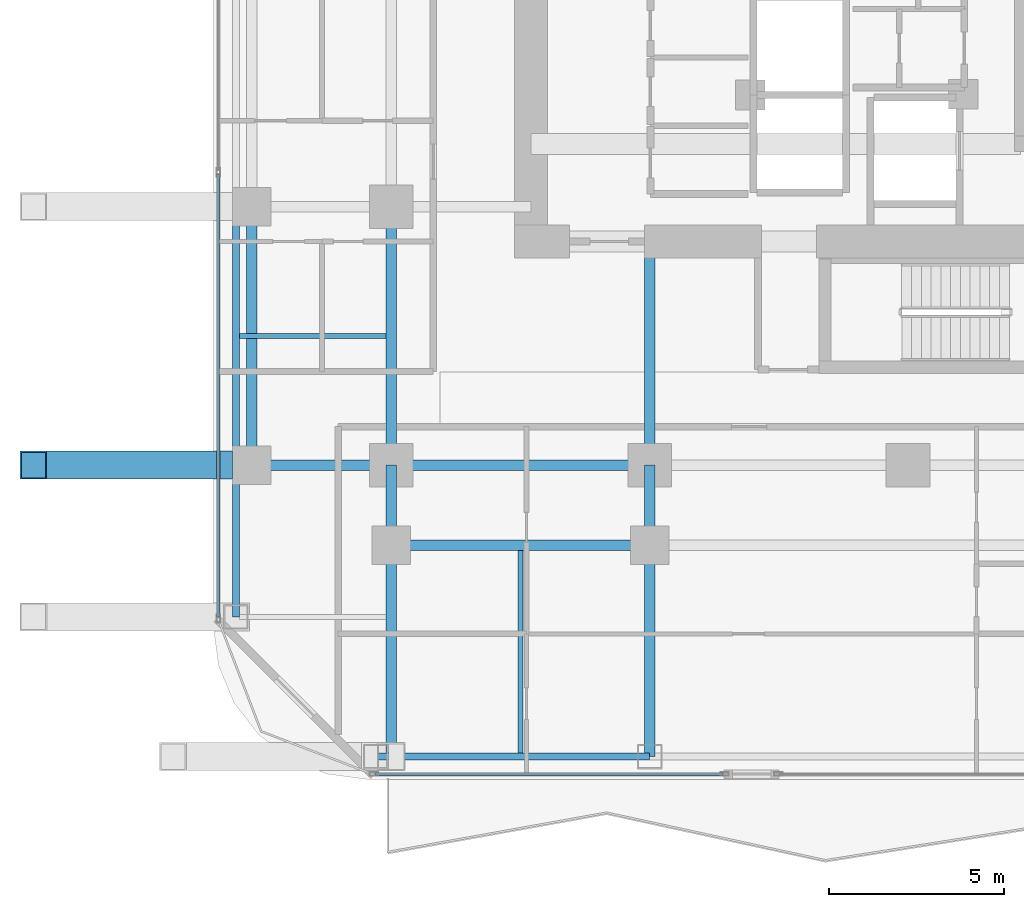
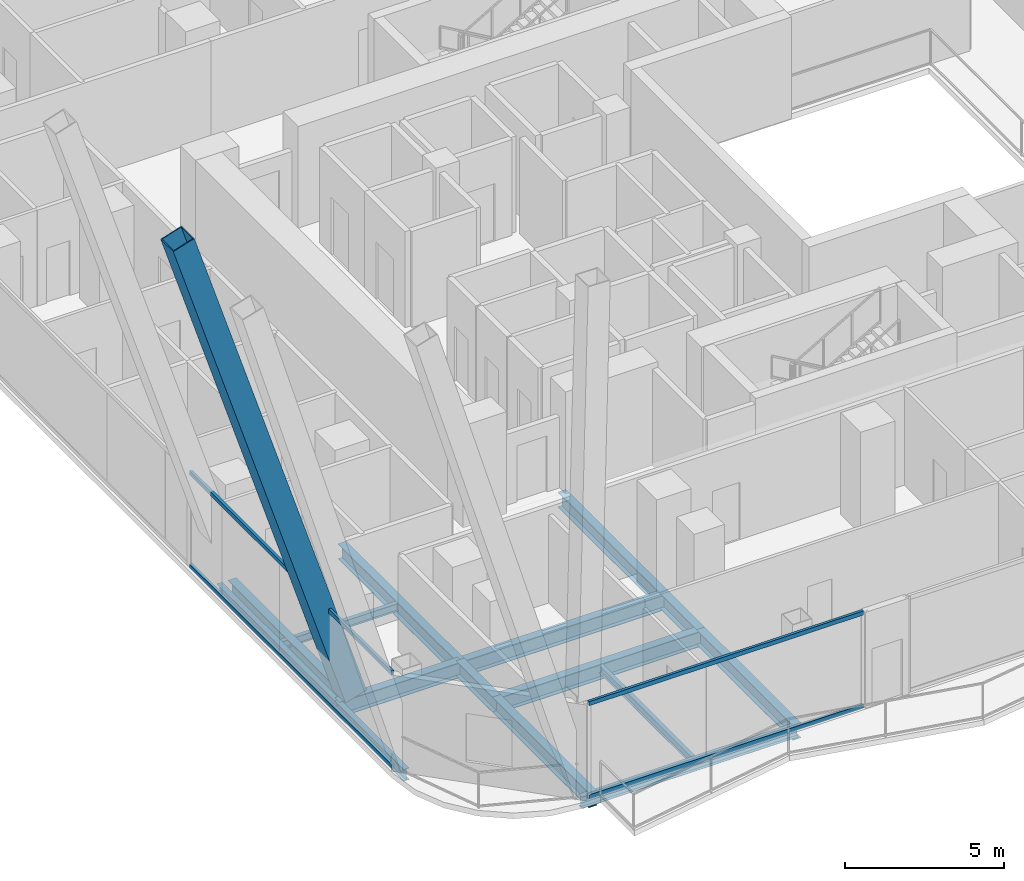
# One storey, part 4 of 32: 15 beams, 5 members, 2 elements without a shape of their own.
"""IFC4 building model written with IfcOpenShell, lengths in metres."""

from ifc_helpers import new_model, si_unit, direction, frame, origin, origin_2d, place, context, subcontext, project, spatial, hollow_rectangle, i_section, extrude, material, layer, layer_set, material_profile, profile_set, type_object, element, aggregate, save


model = new_model("IFC4")

# Units and contexts
model_context = context("Model", 3, precision=1e-05, world=origin(), true_north=direction((0.0, 1.0)))
body_context = subcontext(model_context, "Body", "Model", "MODEL_VIEW")
ifc_project = project(units=[si_unit("LENGTHUNIT", "METRE"), si_unit("AREAUNIT", "SQUARE_METRE"), si_unit("VOLUMEUNIT", "CUBIC_METRE"), si_unit("PLANEANGLEUNIT", "RADIAN"), si_unit("MASSUNIT", "GRAM", prefix="KILO")], contexts=[model_context])

# Site, building, storey
site_placement = place(None, origin())
site = spatial("IfcSite", under=ifc_project, at=site_placement, CompositionType="ELEMENT")
building_placement = place(site_placement, origin())
building = spatial("IfcBuilding", under=site, at=building_placement, Name="Khorvyn Point Tower", CompositionType="ELEMENT")
storey_placement = place(building_placement, frame((0.0, 0.0, 148.5)))
storey = spatial("IfcBuildingStorey", under=building, at=storey_placement, Name="L37", CompositionType="ELEMENT", Elevation=148.5)

# Curtain wall, members
ifc_material_1 = material(Name="Anodised aluminium 6063-T6 and laminated Low-E glass", Category="aluminium")
ifc_layer = layer(ifc_material_1, 0.18994140625)
ifc_layer_set = layer_set([ifc_layer], Name="Stick-Built Acoustic Curtain Wall CW-SYS-03")
curtain_wall_type = type_object("IfcCurtainWallType", Name="Stick-Built Acoustic Curtain Wall CW-SYS-03", PredefinedType="NOTDEFINED", material=ifc_layer_set)
curtain_wall_1_placement = place(storey_placement, origin())
curtain_wall_1 = element("IfcCurtainWall", 1, at=curtain_wall_1_placement, inside=storey, type_object=curtain_wall_type, Name="Curtain Wall", PredefinedType="NOTDEFINED")
ifc_material_2 = material(Name="Anodised aluminium 6063-T6", Category="aluminium")
ifc_material_profile_1 = material_profile(ifc_material_2, hollow_rectangle(XDim=0.10009765625, YDim=0.159912109375, WallThickness=0.00439453125, at=origin_2d()))
ifc_profile_set_1 = profile_set([ifc_material_profile_1], Name="Anodised aluminium 6063-T6 ALU-TRN-100x160")
member_type_1 = type_object("IfcMemberType", Name="Anodised Aluminium 6063-T6 Transom ALU-TRN-100x160", PredefinedType="USERDEFINED", material=ifc_profile_set_1)
member_1_placement = place(storey_placement, frame((-5.301025390625, -23.64990234375, 0.050048828125), z_axis=(-1.0, 0.0, 0.0), x_axis=(0.0, -1.0, 0.0)))
member_1 = element("IfcMember", 2, at=member_1_placement, type_object=member_type_1, Name="Transom", ObjectType="TRANSOM", PredefinedType="USERDEFINED", context=body_context, shape_type="SweptSolid", body=[
    extrude(hollow_rectangle(XDim=0.10009765625, YDim=0.159912109375, WallThickness=0.00439453125, at=origin_2d()), origin(), (0.0, 0.0, 1.0), 9.948974609375),
])
member_2_placement = place(storey_placement, frame((-5.301025390625, -23.64990234375, 3.6298828125), z_axis=(-1.0, 0.0, 0.0), x_axis=(0.0, -1.0, 0.0)))
member_2 = element("IfcMember", 3, at=member_2_placement, type_object=member_type_1, Name="Transom", ObjectType="TRANSOM", PredefinedType="USERDEFINED", context=body_context, shape_type="SweptSolid", body=[
    extrude(hollow_rectangle(XDim=0.10009765625, YDim=0.159912109375, WallThickness=0.00439453125, at=origin_2d()), origin(), (0.0, 0.0, 1.0), 9.948974609375),
])
aggregate(curtain_wall_1, [member_1, member_2])

curtain_wall_2_placement = place(storey_placement, origin())
curtain_wall_2 = element("IfcCurtainWall", 4, at=curtain_wall_2_placement, inside=storey, type_object=curtain_wall_type, Name="Curtain Wall", PredefinedType="NOTDEFINED")
member_3_placement = place(storey_placement, frame((-19.75, -19.14990234375, 0.050048828125), z_axis=(0.0, 1.0, 0.0), x_axis=(-1.0, 0.0, 0.0)))
member_3 = element("IfcMember", 5, at=member_3_placement, type_object=member_type_1, Name="Transom", ObjectType="TRANSOM", PredefinedType="USERDEFINED", context=body_context, shape_type="SweptSolid", body=[
    extrude(hollow_rectangle(XDim=0.10009765625, YDim=0.159912109375, WallThickness=0.00439453125, at=origin_2d()), origin(), (0.0, 0.0, 1.0), 12.683349609375),
])
member_4_placement = place(storey_placement, frame((-19.75, -19.14990234375, 3.6298828125), z_axis=(0.0, 1.0, 0.0), x_axis=(-1.0, 0.0, 0.0)))
member_4 = element("IfcMember", 6, at=member_4_placement, type_object=member_type_1, Name="Transom", ObjectType="TRANSOM", PredefinedType="USERDEFINED", context=body_context, shape_type="SweptSolid", body=[
    extrude(hollow_rectangle(XDim=0.10009765625, YDim=0.159912109375, WallThickness=0.00439453125, at=origin_2d()), origin(), (0.0, 0.0, 1.0), 12.683349609375),
])
aggregate(curtain_wall_2, [member_3, member_4])

# Beams
ifc_material_3 = material(Name="Steel S355", Category="steel")
ifc_material_profile_2 = material_profile(ifc_material_3, i_section(OverallWidth=0.300048828125, OverallDepth=0.587890625, WebThickness=0.011962890625, FlangeThickness=0.02001953125, at=origin_2d()))
ifc_profile_set_2 = profile_set([ifc_material_profile_2], Name="Steel S355 H588x300x12x20")
beam_type_1 = type_object("IfcBeamType", Name="Steel S355 Beam H588x300x12x20", PredefinedType="BEAM", material=ifc_profile_set_2)
beam_1_placement = place(storey_placement, frame((-19.25, -14.800048828125, -0.513916015625), z_axis=(1.0, 0.0, 0.0), x_axis=(0.0, 1.0, 0.0)))
element("IfcBeam", 7, at=beam_1_placement, inside=storey, type_object=beam_type_1, Name="Beam", PredefinedType="BEAM", context=body_context, shape_type="SweptSolid", body=[
    extrude(i_section(OverallWidth=0.300048828125, OverallDepth=0.587890625, WebThickness=0.011962890625, FlangeThickness=0.02001953125, at=origin_2d()), origin(), (0.0, 0.0, 1.0), 4.449951171875),
])
for number, where, z_axis, x_axis, name in (
    (8, (-14.800048828125, -14.800048828125, -0.513916015625), (1.0, 0.0, 0.0), (0.0, 1.0, 0.0), "Beam"),
    (9, (-14.800048828125, -17.10009765625, -0.513916015625), (1.0, 0.0, 0.0), (0.0, 1.0, 0.0), "Beam"),
):
    element("IfcBeam", number, at=place(storey_placement, frame(where, z_axis=z_axis, x_axis=x_axis)), inside=storey, type_object=beam_type_1, Name=name, PredefinedType="BEAM", context=body_context, shape_type="SweptSolid", body=[
        extrude(i_section(OverallWidth=0.300048828125, OverallDepth=0.587890625, WebThickness=0.011962890625, FlangeThickness=0.02001953125, at=origin_2d()), origin(), (0.0, 0.0, 1.0), 7.400146484375),
    ])
beam_2_placement = place(storey_placement, frame((-14.800048828125, -23.14990234375, -0.513916015625), z_axis=(0.0, 1.0, 0.0), x_axis=(-1.0, 0.0, 0.0)))
element("IfcBeam", 10, at=beam_2_placement, inside=storey, type_object=beam_type_1, Name="Beam", PredefinedType="BEAM", context=body_context, shape_type="SweptSolid", body=[
    extrude(i_section(OverallWidth=0.300048828125, OverallDepth=0.587890625, WebThickness=0.011962890625, FlangeThickness=0.02001953125, at=origin_2d()), origin(), (0.0, 0.0, 1.0), 6.0498046875),
])
beam_3_placement = place(storey_placement, frame((-14.800048828125, -17.10009765625, -0.513916015625), z_axis=(0.0, 1.0, 0.0), x_axis=(-1.0, 0.0, 0.0)))
element("IfcBeam", 11, at=beam_3_placement, inside=storey, type_object=beam_type_1, Name="Beam", PredefinedType="BEAM", context=body_context, shape_type="SweptSolid", body=[
    extrude(i_section(OverallWidth=0.300048828125, OverallDepth=0.587890625, WebThickness=0.011962890625, FlangeThickness=0.02001953125, at=origin_2d()), origin(), (0.0, 0.0, 1.0), 2.300048828125),
])
beam_4_placement = place(storey_placement, frame((-14.800048828125, -14.800048828125, -0.513916015625), z_axis=(0.0, 1.0, 0.0), x_axis=(-1.0, 0.0, 0.0)))
element("IfcBeam", 12, at=beam_4_placement, inside=storey, type_object=beam_type_1, Name="Beam", PredefinedType="BEAM", context=body_context, shape_type="SweptSolid", body=[
    extrude(i_section(OverallWidth=0.300048828125, OverallDepth=0.587890625, WebThickness=0.011962890625, FlangeThickness=0.02001953125, at=origin_2d()), origin(), (0.0, 0.0, 1.0), 7.400146484375),
])
beam_5_placement = place(storey_placement, frame((-7.39990234375, -23.14990234375, -0.513916015625), z_axis=(0.0, 1.0, 0.0), x_axis=(-1.0, 0.0, 0.0)))
element("IfcBeam", 13, at=beam_5_placement, inside=storey, type_object=beam_type_1, Name="Beam", PredefinedType="BEAM", context=body_context, shape_type="SweptSolid", body=[
    extrude(i_section(OverallWidth=0.300048828125, OverallDepth=0.587890625, WebThickness=0.011962890625, FlangeThickness=0.02001953125, at=origin_2d()), origin(), (0.0, 0.0, 1.0), 6.0498046875),
])
beam_6_placement = place(storey_placement, frame((-7.39990234375, -17.10009765625, -0.513916015625), z_axis=(0.0, 1.0, 0.0), x_axis=(-1.0, 0.0, 0.0)))
element("IfcBeam", 14, at=beam_6_placement, inside=storey, type_object=beam_type_1, Name="Beam", PredefinedType="BEAM", context=body_context, shape_type="SweptSolid", body=[
    extrude(i_section(OverallWidth=0.300048828125, OverallDepth=0.587890625, WebThickness=0.011962890625, FlangeThickness=0.02001953125, at=origin_2d()), origin(), (0.0, 0.0, 1.0), 2.300048828125),
])
beam_7_placement = place(storey_placement, frame((-7.39990234375, -14.800048828125, -0.513916015625), z_axis=(0.0, 1.0, 0.0), x_axis=(-1.0, 0.0, 0.0)))
element("IfcBeam", 15, at=beam_7_placement, inside=storey, type_object=beam_type_1, Name="Beam", PredefinedType="BEAM", context=body_context, shape_type="SweptSolid", body=[
    extrude(i_section(OverallWidth=0.300048828125, OverallDepth=0.587890625, WebThickness=0.011962890625, FlangeThickness=0.02001953125, at=origin_2d()), origin(), (0.0, 0.0, 1.0), 6.400146484375),
])
beam_8_placement = place(storey_placement, frame((-18.800048828125, -14.800048828125, -0.513916015625), z_axis=(0.0, 1.0, 0.0), x_axis=(-1.0, 0.0, 0.0)))
element("IfcBeam", 16, at=beam_8_placement, inside=storey, type_object=beam_type_1, Name="Beam", PredefinedType="BEAM", context=body_context, shape_type="SweptSolid", body=[
    extrude(i_section(OverallWidth=0.300048828125, OverallDepth=0.587890625, WebThickness=0.011962890625, FlangeThickness=0.02001953125, at=origin_2d()), origin(), (0.0, 0.0, 1.0), 7.400146484375),
])
ifc_material_profile_3 = material_profile(ifc_material_3, i_section(OverallWidth=0.14990234375, OverallDepth=0.300048828125, WebThickness=0.006591796875, FlangeThickness=0.009033203125, at=origin_2d()))
ifc_profile_set_3 = profile_set([ifc_material_profile_3], Name="Steel S355 H300x150x6.5x9")
beam_type_2 = type_object("IfcBeamType", Name="Steel S355 Joist H300x150x6.5x9", PredefinedType="JOIST", material=ifc_profile_set_3)
beam_9_placement = place(storey_placement, frame((-19.14990234375, -11.10009765625, -0.3701171875), z_axis=(1.0, 0.0, 0.0), x_axis=(0.0, 1.0, 0.0)))
element("IfcBeam", 17, at=beam_9_placement, inside=storey, type_object=beam_type_2, Name="Beam", PredefinedType="JOIST", context=body_context, shape_type="SweptSolid", body=[
    extrude(i_section(OverallWidth=0.14990234375, OverallDepth=0.300048828125, WebThickness=0.006591796875, FlangeThickness=0.009033203125, at=origin_2d()), origin(), (0.0, 0.0, 1.0), 4.199951171875),
])
beam_10_placement = place(storey_placement, frame((-11.10009765625, -23.050048828125, -0.3701171875), z_axis=(0.0, 1.0, 0.0), x_axis=(-1.0, 0.0, 0.0)))
element("IfcBeam", 18, at=beam_10_placement, inside=storey, type_object=beam_type_2, Name="Beam", PredefinedType="JOIST", context=body_context, shape_type="SweptSolid", body=[
    extrude(i_section(OverallWidth=0.14990234375, OverallDepth=0.300048828125, WebThickness=0.006591796875, FlangeThickness=0.009033203125, at=origin_2d()), origin(), (0.0, 0.0, 1.0), 5.800048828125),
])
ifc_material_profile_4 = material_profile(ifc_material_3, i_section(OverallWidth=0.199951171875, OverallDepth=0.449951171875, WebThickness=0.009033203125, FlangeThickness=0.013916015625, at=origin_2d()))
ifc_profile_set_4 = profile_set([ifc_material_profile_4], Name="Steel S355 H450x200x9x14")
beam_type_3 = type_object("IfcBeamType", Name="Steel S355 Spandrel H450x200x9x14", PredefinedType="SPANDREL", material=ifc_profile_set_4)
beam_11_placement = place(storey_placement, frame((-15.25, -23.14990234375, -0.445068359375), z_axis=(1.0, 0.0, 0.0), x_axis=(0.0, 1.0, 0.0)))
element("IfcBeam", 19, at=beam_11_placement, inside=storey, type_object=beam_type_3, Name="Beam", PredefinedType="SPANDREL", context=body_context, shape_type="SweptSolid", body=[
    extrude(i_section(OverallWidth=0.199951171875, OverallDepth=0.449951171875, WebThickness=0.009033203125, FlangeThickness=0.013916015625, at=origin_2d()), origin(), (0.0, 0.0, 1.0), 7.85009765625),
])
beam_12_placement = place(storey_placement, frame((-19.25, -19.14990234375, -0.445068359375), z_axis=(0.0, 1.0, 0.0), x_axis=(-1.0, 0.0, 0.0)))
element("IfcBeam", 20, at=beam_12_placement, inside=storey, type_object=beam_type_3, Name="Beam", PredefinedType="SPANDREL", context=body_context, shape_type="SweptSolid", body=[
    extrude(i_section(OverallWidth=0.199951171875, OverallDepth=0.449951171875, WebThickness=0.009033203125, FlangeThickness=0.013916015625, at=origin_2d()), origin(), (0.0, 0.0, 1.0), 4.349853515625),
])
beam_13_placement = place(storey_placement, frame((-19.25, -14.800048828125, -0.445068359375), z_axis=(0.0, 1.0, 0.0), x_axis=(-1.0, 0.0, 0.0)))
element("IfcBeam", 21, at=beam_13_placement, inside=storey, type_object=beam_type_3, Name="Beam", PredefinedType="SPANDREL", context=body_context, shape_type="SweptSolid", body=[
    extrude(i_section(OverallWidth=0.199951171875, OverallDepth=0.449951171875, WebThickness=0.009033203125, FlangeThickness=0.013916015625, at=origin_2d()), origin(), (0.0, 0.0, 1.0), 7.400146484375),
])

# Member
ifc_material_4 = material(Name="Steel S450", Category="steel")
ifc_material_profile_5 = material_profile(ifc_material_4, hollow_rectangle(XDim=0.800048828125, YDim=0.800048828125, WallThickness=0.035888671875, at=origin_2d()))
ifc_profile_set_5 = profile_set([ifc_material_profile_5], Name="Steel S450 BOX800x800x36")
member_type_2 = type_object("IfcMemberType", Name="Steel S450 Exoskeleton Structural Post BOX800x800x36", PredefinedType="POST", material=ifc_profile_set_5)
member_5_placement = place(storey_placement, frame((-18.800048828125, -14.800048828125, 0.0), z_axis=(-0.305218682065, 0.0, 0.952282288042), x_axis=(0.0, -1.0, 0.0)))
element("IfcMember", 22, at=member_5_placement, inside=storey, type_object=member_type_2, Name="L37 to L41 Exoskeleton Transfer Post 11", PredefinedType="POST", context=body_context, shape_type="SweptSolid", body=[
    extrude(hollow_rectangle(XDim=0.800048828125, YDim=0.800048828125, WallThickness=0.035888671875, at=origin_2d()), origin(), (0.0, 0.0, 1.0), 20.47705078125),
])

save(model, "model.ifc")
